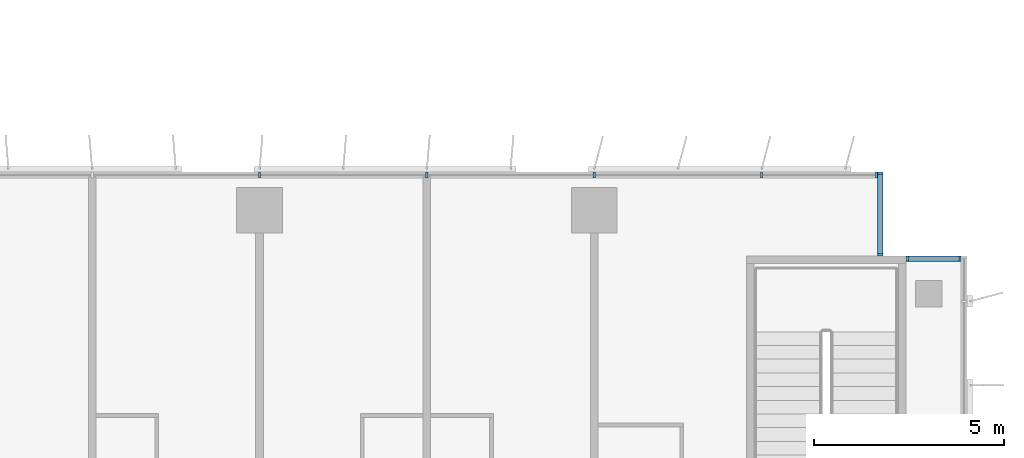
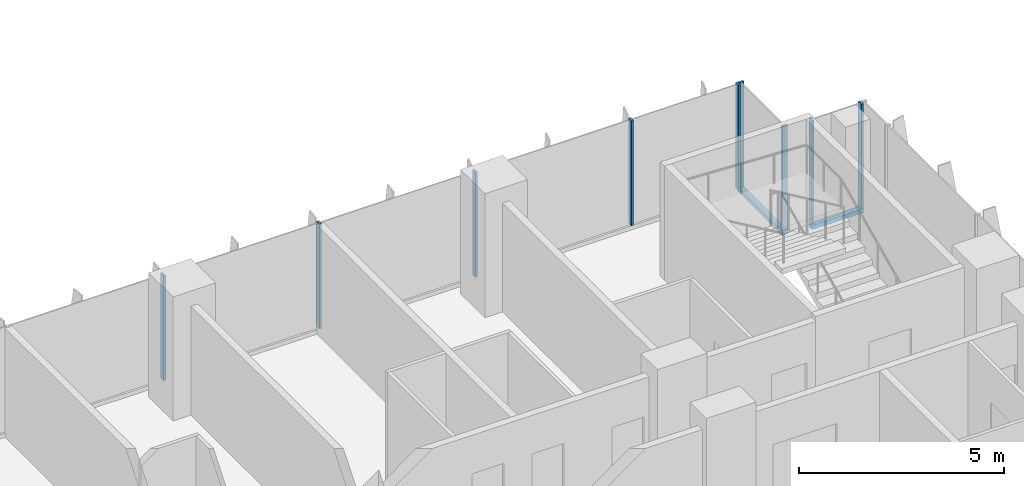
# One storey, part 4 of 22: 11 members, 3 elements without a shape of their own.
"""IFC4 building model written with IfcOpenShell, lengths in metres."""

from ifc_helpers import new_model, si_unit, direction, frame, origin, origin_2d, place, context, subcontext, project, spatial, rectangle, extrude, source, transform, mapped, material, material_profile, profile_set, type_object, element, aggregate, save


model = new_model("IFC4")

# Units and contexts
model_context = context("Model", 3, precision=1e-05, world=origin(), true_north=direction((0.0, 1.0)))
body_context = subcontext(model_context, "Body", "Model", "MODEL_VIEW")
ifc_project = project(units=[si_unit("LENGTHUNIT", "METRE"), si_unit("AREAUNIT", "SQUARE_METRE"), si_unit("VOLUMEUNIT", "CUBIC_METRE"), si_unit("PLANEANGLEUNIT", "RADIAN"), si_unit("MASSUNIT", "GRAM", prefix="KILO")], contexts=[model_context])

# Site, building, storey
site_placement = place(None, origin())
site = spatial("IfcSite", under=ifc_project, at=site_placement, CompositionType="ELEMENT")
building_placement = place(site_placement, origin())
building = spatial("IfcBuilding", under=site, at=building_placement, Name="Kemantara Hotel Tower", CompositionType="ELEMENT")
storey_placement = place(building_placement, frame((0.0, 0.0, 149.39990234375)))
storey = spatial("IfcBuildingStorey", under=building, at=storey_placement, Name="L36", CompositionType="ELEMENT", Elevation=149.39990234375)

# Curtain wall, member
ifc_material_1 = material(Name="Low-E tinted double insulated glass 36 mm", Category="glass")
curtain_wall_type = type_object("IfcCurtainWallType", Name="TOWER CURTAIN WALL, FRONT FACES", PredefinedType="USERDEFINED", material=ifc_material_1)
curtain_wall_1_placement = place(storey_placement, origin())
curtain_wall_1 = element("IfcCurtainWall", 1, at=curtain_wall_1_placement, inside=storey, type_object=curtain_wall_type, Name="CW4 L36 T2-R11-1", ObjectType="TOWER CURTAIN WALL, FRONT FACES", PredefinedType="USERDEFINED")
ifc_material_2 = material(Name="Aluminium 6063-T6 bronze anodised", Category="aluminium")
ifc_material_profile_1 = material_profile(ifc_material_2, rectangle(XDim=0.14990234375, YDim=0.1201171875, at=origin_2d()), Name="TOWER CURTAIN WALL, FRONT FACES TRANSOM")
ifc_profile_set_1 = profile_set([ifc_material_profile_1], Name="Aluminium 6063-T6 bronze anodised")
member_type_1 = type_object("IfcMemberType", Name="TOWER CURTAIN WALL, FRONT FACES TRANSOM", PredefinedType="USERDEFINED", material=ifc_profile_set_1)
member_1_placement = place(storey_placement, frame((63.449951171875, 19.72509765625, 0.06005859375), z_axis=(-1.0, 0.0, 0.0), x_axis=(0.0, -1.0, 0.0)))
member_1 = element("IfcMember", 2, at=member_1_placement, type_object=member_type_1, Name="CW4 sill transom T2-R11-1", ObjectType="TRANSOM", PredefinedType="USERDEFINED", context=body_context, shape_type="SweptSolid", body=[
    extrude(rectangle(XDim=0.14990234375, YDim=0.1201171875, at=origin_2d()), origin(), (0.0, 0.0, 1.0), 1.449951171875),
])

curtain_wall_2_placement = place(storey_placement, origin())
curtain_wall_2 = element("IfcCurtainWall", 3, at=curtain_wall_2_placement, inside=storey, type_object=curtain_wall_type, Name="CW4 L36 T2-R12-1", ObjectType="TOWER CURTAIN WALL, FRONT FACES", PredefinedType="USERDEFINED")
member_2_placement = place(storey_placement, frame((61.324951171875, 19.800048828125, 0.06005859375), z_axis=(0.0, 1.0, 0.0), x_axis=(-1.0, 0.0, 0.0)))
member_2 = element("IfcMember", 4, at=member_2_placement, type_object=member_type_1, Name="CW4 sill transom T2-R12-1", ObjectType="TRANSOM", PredefinedType="USERDEFINED", context=body_context, shape_type="SweptSolid", body=[
    extrude(rectangle(XDim=0.14990234375, YDim=0.1201171875, at=origin_2d()), origin(), (0.0, 0.0, 1.0), 2.199951171875),
])

# Curtain wall, members
curtain_wall_3_placement = place(storey_placement, origin())
curtain_wall_3 = element("IfcCurtainWall", 5, at=curtain_wall_3_placement, inside=storey, type_object=curtain_wall_type, Name="CW4 L36 T2-R13-1", ObjectType="TOWER CURTAIN WALL, FRONT FACES", PredefinedType="USERDEFINED")
ifc_material_profile_2 = material_profile(ifc_material_2, rectangle(XDim=0.14990234375, YDim=0.06005859375, at=origin_2d()), Name="TOWER CURTAIN WALL, FRONT FACES MULLION")
ifc_profile_set_2 = profile_set([ifc_material_profile_2], Name="Aluminium 6063-T6 bronze anodised")
member_type_2 = type_object("IfcMemberType", Name="TOWER CURTAIN WALL, FRONT FACES MULLION", PredefinedType="MULLION", material=ifc_profile_set_2)
shared_shape = source(origin(), body_context, "Body", "SweptSolid", [
    extrude(rectangle(XDim=0.14990234375, YDim=0.06005859375, at=origin_2d()), origin(), (0.0, 0.0, 1.0), 3.1298828125),
])
member_3_placement = place(storey_placement, frame((61.219970703125, 21.925048828125, 0.1201171875), z_axis=(0.0, 0.0, 1.0), x_axis=(0.0, -1.0, 0.0)))
member_3 = element("IfcMember", 6, at=member_3_placement, type_object=member_type_2, Name="CW4 mullion T2-R13-1.1", PredefinedType="MULLION", context=body_context, shape_type="MappedRepresentation", body=[
    mapped(shared_shape, transform((0.0, 0.0, 0.0))),
])
member_4_placement = place(storey_placement, frame((58.199951171875, 21.925048828125, 0.1201171875), z_axis=(0.0, 0.0, 1.0), x_axis=(0.0, -1.0, 0.0)))
member_4 = element("IfcMember", 7, at=member_4_placement, type_object=member_type_2, Name="CW4 mullion T2-R13-1.2", PredefinedType="MULLION", context=body_context, shape_type="MappedRepresentation", body=[
    mapped(shared_shape, transform((0.0, 0.0, 0.0))),
])
member_5_placement = place(storey_placement, frame((53.800048828125, 21.925048828125, 0.1201171875), z_axis=(0.0, 0.0, 1.0), x_axis=(0.0, -1.0, 0.0)))
member_5 = element("IfcMember", 8, at=member_5_placement, type_object=member_type_2, Name="CW4 mullion T2-R13-1.3", PredefinedType="MULLION", context=body_context, shape_type="MappedRepresentation", body=[
    mapped(shared_shape, transform((0.0, 0.0, 0.0))),
])
member_6_placement = place(storey_placement, frame((49.39990234375, 21.925048828125, 0.1201171875), z_axis=(0.0, 0.0, 1.0), x_axis=(0.0, -1.0, 0.0)))
member_6 = element("IfcMember", 9, at=member_6_placement, type_object=member_type_2, Name="CW4 mullion T2-R13-1.4", PredefinedType="MULLION", context=body_context, shape_type="MappedRepresentation", body=[
    mapped(shared_shape, transform((0.0, 0.0, 0.0))),
])
member_7_placement = place(storey_placement, frame((45.0, 21.925048828125, 0.1201171875), z_axis=(0.0, 0.0, 1.0), x_axis=(0.0, -1.0, 0.0)))
member_7 = element("IfcMember", 10, at=member_7_placement, type_object=member_type_2, Name="CW4 mullion T2-R13-1.5", PredefinedType="MULLION", context=body_context, shape_type="MappedRepresentation", body=[
    mapped(shared_shape, transform((0.0, 0.0, 0.0))),
])
aggregate(curtain_wall_3, [member_3, member_4, member_5, member_6, member_7])

# Member
member_8_placement = place(storey_placement, frame((63.419921875, 19.72509765625, 0.1201171875), z_axis=(0.0, 0.0, 1.0), x_axis=(0.0, -1.0, 0.0)))
member_8 = element("IfcMember", 11, at=member_8_placement, type_object=member_type_2, Name="CW4 mullion T2-R11-1.1", PredefinedType="MULLION", context=body_context, shape_type="MappedRepresentation", body=[
    mapped(shared_shape, transform((0.0, 0.0, 0.0))),
])

member_9_placement = place(storey_placement, frame((62.030029296875, 19.72509765625, 0.1201171875), z_axis=(0.0, 0.0, 1.0), x_axis=(0.0, -1.0, 0.0)))
member_9 = element("IfcMember", 12, at=member_9_placement, type_object=member_type_2, Name="CW4 mullion T2-R11-1.2", PredefinedType="MULLION", context=body_context, shape_type="MappedRepresentation", body=[
    mapped(shared_shape, transform((0.0, 0.0, 0.0))),
])

aggregate(curtain_wall_1, [member_1, member_8, member_9])

member_10_placement = place(storey_placement, frame((61.324951171875, 19.830078125, 0.1201171875), z_axis=(0.0, 0.0, 1.0), x_axis=(-1.0, 0.0, 0.0)))
member_10 = element("IfcMember", 13, at=member_10_placement, type_object=member_type_2, Name="CW4 mullion T2-R12-1.1", PredefinedType="MULLION", context=body_context, shape_type="MappedRepresentation", body=[
    mapped(shared_shape, transform((0.0, 0.0, 0.0))),
])

member_11_placement = place(storey_placement, frame((61.324951171875, 21.969970703125, 0.1201171875), z_axis=(0.0, 0.0, 1.0), x_axis=(-1.0, 0.0, 0.0)))
member_11 = element("IfcMember", 14, at=member_11_placement, type_object=member_type_2, Name="CW4 mullion T2-R12-1.2", PredefinedType="MULLION", context=body_context, shape_type="MappedRepresentation", body=[
    mapped(shared_shape, transform((0.0, 0.0, 0.0))),
])

aggregate(curtain_wall_2, [member_2, member_10, member_11])

save(model, "model.ifc")
